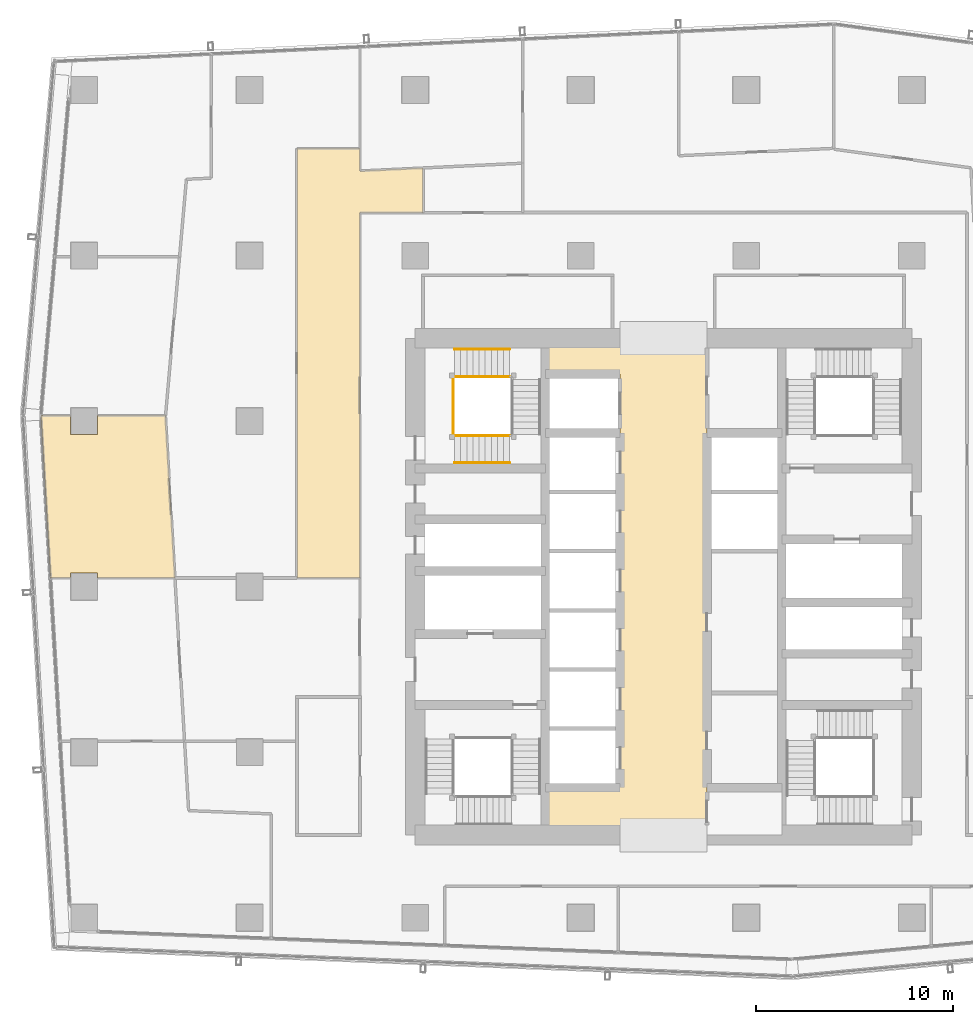
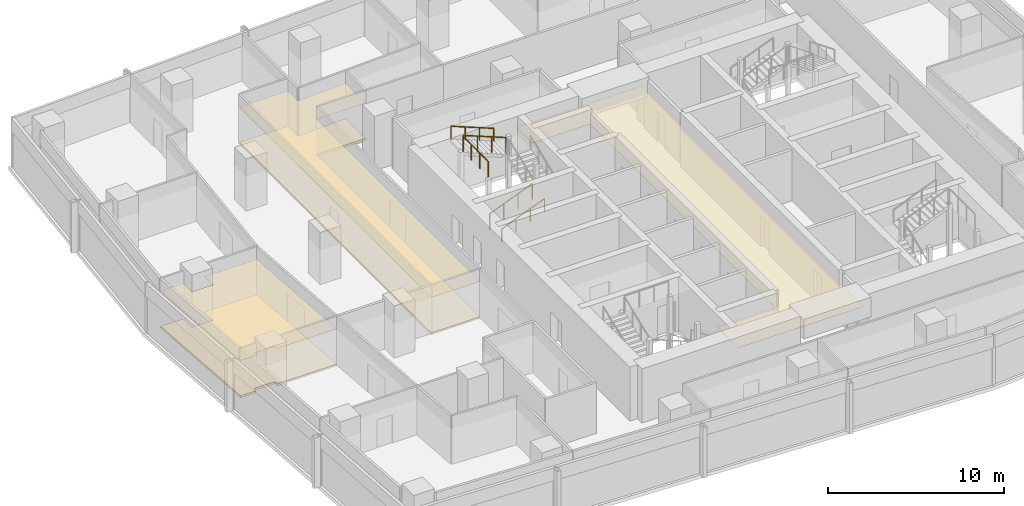
# One storey, part 33 of 39: 5 coverings, 5 railings.
"""IFC4 building model written with IfcOpenShell, lengths in metres."""

from ifc_helpers import new_model, si_unit, direction, frame, origin, origin_2d, place, context, subcontext, project, spatial, polyline, circle, outline, extrude, material, layer, layer_set, type_object, element, save


model = new_model("IFC4")

# Units and contexts
model_context = context("Model", 3, precision=1e-05, world=origin(), true_north=direction((0.0, 1.0)))
body_context = subcontext(model_context, "Body", "Model", "MODEL_VIEW")
ifc_project = project(units=[si_unit("LENGTHUNIT", "METRE"), si_unit("AREAUNIT", "SQUARE_METRE"), si_unit("VOLUMEUNIT", "CUBIC_METRE"), si_unit("PLANEANGLEUNIT", "RADIAN"), si_unit("MASSUNIT", "GRAM", prefix="KILO")], contexts=[model_context])

# Site, building, storey
site_placement = place(None, origin())
site = spatial("IfcSite", under=ifc_project, at=site_placement, CompositionType="ELEMENT")
building_placement = place(site_placement, origin())
building = spatial("IfcBuilding", under=site, at=building_placement, Name="Rekha Terrace Tower", CompositionType="ELEMENT")
storey_placement = place(building_placement, frame((0.0, 0.0, 217.699951171875)))
storey = spatial("IfcBuildingStorey", under=building, at=storey_placement, Name="L55", CompositionType="ELEMENT", Elevation=217.699951171875)

# Coverings
ifc_material_1 = material(Name="Mineral fibre tile in exposed grid", Category="finish")
ifc_layer_1 = layer(ifc_material_1, 0.02001953125)
ifc_layer_set_1 = layer_set([ifc_layer_1], Name="Mineral fibre tile in exposed grid")
covering_type_1 = type_object("IfcCoveringType", Name="CL1 600x1200 office grid ceiling", PredefinedType="CEILING", material=ifc_layer_set_1)
covering_1_placement = place(storey_placement, frame((0.0, 0.0, 2.580078125)))
element("IfcCovering", 1, at=covering_1_placement, inside=storey, type_object=covering_type_1, Name="Ceiling L55-10", PredefinedType="CEILING", context=body_context, shape_type="SweptSolid", body=[
    extrude(outline(polyline([(9.090087890625, 34.041015625), (13.010986328125, 34.041015625), (12.52587890625, 42.281005859375), (9.090087890625, 42.281005859375), (9.090087890625, 41.31005859375), (7.7099609375, 41.31005859375), (7.7099609375, 42.281005859375), (6.215087890625, 42.281005859375), (6.699951171875, 34.041015625), (7.7099609375, 34.041015625), (7.7099609375, 34.2900390625), (9.090087890625, 34.2900390625), (9.090087890625, 34.041015625)])), origin(), (0.0, 0.0, 1.0), 0.02001953125),
])
covering_2_placement = place(storey_placement, frame((0.0, 0.0, 2.580078125)))
element("IfcCovering", 2, at=covering_2_placement, inside=storey, type_object=covering_type_1, Name="Ceiling L55-13", PredefinedType="CEILING", context=body_context, shape_type="SweptSolid", body=[
    extrude(outline(polyline([(22.39990234375, 52.574951171875), (25.60009765625, 52.574951171875), (25.60009765625, 54.843994140625), (22.40087890625, 54.69091796875), (22.40087890625, 55.8291015625), (19.199951171875, 55.8291015625), (19.199951171875, 34.0400390625), (22.39990234375, 34.0400390625), (22.39990234375, 52.574951171875)])), origin(), (0.0, 0.0, 1.0), 0.02001953125),
])
ifc_material_2 = material(Name="Powder-coated aluminium pan", Category="aluminium")
ifc_layer_2 = layer(ifc_material_2, 0.030029296875)
ifc_layer_set_2 = layer_set([ifc_layer_2], Name="Powder-coated aluminium pan")
covering_type_2 = type_object("IfcCoveringType", Name="CL3 300x1200 metal pan ceiling", PredefinedType="CEILING", material=ifc_layer_set_2)
covering_3_placement = place(storey_placement, frame((0.0, 0.0, 2.570068359375)))
element("IfcCovering", 3, at=covering_3_placement, inside=storey, type_object=covering_type_2, Name="Ceiling L55-LOBBY", PredefinedType="CEILING", context=body_context, shape_type="SweptSolid", body=[
    extrude(outline(polyline([(35.60009765625, 44.39990234375), (35.60009765625, 23.39990234375), (31.800048828125, 23.39990234375), (31.800048828125, 21.0), (40.0, 21.0), (40.0, 46.199951171875), (31.800048828125, 46.199951171875), (31.800048828125, 44.39990234375), (35.60009765625, 44.39990234375)])), origin(), (0.0, 0.0, 1.0), 0.030029296875),
])

# Railings
ifc_material_3 = material(Name="Stainless steel balustrade", Category="steel")
railing_type_1 = type_object("IfcRailingType", Name="GR1 1100 stair guard", PredefinedType="GUARDRAIL", material=ifc_material_3)
railing_1_placement = place(storey_placement, frame((27.199951171875, 41.264892578125, 0.125)))
element("IfcRailing", 4, at=railing_1_placement, inside=storey, type_object=railing_type_1, Name="Guard ST4 L55 flight 1", PredefinedType="GUARDRAIL", context=body_context, shape_type="SweptSolid", body=[
    extrude(circle(Radius=0.02392578125, at=origin_2d()), frame((0.0, 0.0, 1.076171875), z_axis=(0.927443287984, 0.0, 0.373963831907), x_axis=(0.0, 1.0, 0.0)), (0.0, 0.0, 1.0), 3.00830078125),
    extrude(circle(Radius=0.02099609375, at=origin_2d()), origin(), (0.0, 0.0, 1.0), 1.052001953125),
    extrude(circle(Radius=0.02099609375, at=origin_2d()), frame((0.929931640625, 0.0, 0.375)), (0.0, 0.0, 1.0), 1.052001953125),
    extrude(circle(Radius=0.02099609375, at=origin_2d()), frame((1.860107421875, 0.0, 0.75)), (0.0, 0.0, 1.0), 1.052001953125),
    extrude(circle(Radius=0.02099609375, at=origin_2d()), frame((2.7900390625, 0.0, 1.125)), (0.0, 0.0, 1.0), 1.052001953125),
])
railing_2_placement = place(storey_placement, frame((29.989990234375, 44.260009765625, 2.625)))
element("IfcRailing", 5, at=railing_2_placement, inside=storey, type_object=railing_type_1, Name="Guard ST4 L55 flight 3", PredefinedType="GUARDRAIL", context=body_context, shape_type="SweptSolid", body=[
    extrude(circle(Radius=0.02392578125, at=origin_2d()), frame((0.0, 0.0, 1.076171875), z_axis=(-0.927443287984, 0.0, 0.373963831907), x_axis=(0.0, -1.0, 0.0)), (0.0, 0.0, 1.0), 3.00830078125),
    extrude(circle(Radius=0.02099609375, at=origin_2d()), origin(), (0.0, 0.0, 1.0), 1.052001953125),
    extrude(circle(Radius=0.02099609375, at=origin_2d()), frame((-0.929931640625, 0.0, 0.375)), (0.0, 0.0, 1.0), 1.052001953125),
    extrude(circle(Radius=0.02099609375, at=origin_2d()), frame((-1.860107421875, 0.0, 0.75)), (0.0, 0.0, 1.0), 1.052001953125),
    extrude(circle(Radius=0.02099609375, at=origin_2d()), frame((-2.7900390625, 0.0, 1.125)), (0.0, 0.0, 1.0), 1.052001953125),
])
railing_3_placement = place(storey_placement, frame((27.139892578125, 41.324951171875, 3.75)))
element("IfcRailing", 6, at=railing_3_placement, inside=storey, type_object=railing_type_1, Name="Guard ST4 L55 landing 4", PredefinedType="GUARDRAIL", context=body_context, shape_type="SweptSolid", body=[
    extrude(circle(Radius=0.02392578125, at=origin_2d()), frame((0.0, 0.0, 1.076171875), z_axis=(0.0, 1.0, 0.0), x_axis=(-1.0, 0.0, 0.0)), (0.0, 0.0, 1.0), 2.875),
    extrude(circle(Radius=0.02099609375, at=origin_2d()), origin(), (0.0, 0.0, 1.0), 1.052001953125),
    extrude(circle(Radius=0.02099609375, at=origin_2d()), frame((0.0, 0.958251953125, 0.0)), (0.0, 0.0, 1.0), 1.052001953125),
    extrude(circle(Radius=0.02099609375, at=origin_2d()), frame((0.0, 1.916748046875, 0.0)), (0.0, 0.0, 1.0), 1.052001953125),
    extrude(circle(Radius=0.02099609375, at=origin_2d()), frame((0.0, 2.875, 0.0)), (0.0, 0.0, 1.0), 1.052001953125),
])
ifc_material_4 = material(Name="Stainless steel tube", Category="steel")
railing_type_2 = type_object("IfcRailingType", Name="HR1 900 stair handrail", PredefinedType="HANDRAIL", material=ifc_material_4)
railing_4_placement = place(storey_placement, frame((27.199951171875, 39.885009765625, 0.125)))
element("IfcRailing", 7, at=railing_4_placement, inside=storey, type_object=railing_type_2, Name="Handrail ST4 L55 flight 1", PredefinedType="HANDRAIL", context=body_context, shape_type="SweptSolid", body=[
    extrude(circle(Radius=0.02392578125, at=origin_2d()), frame((0.0, 0.0, 0.8759765625), z_axis=(0.927443287984, 0.0, 0.373963831907), x_axis=(0.0, 1.0, 0.0)), (0.0, 0.0, 1.0), 3.00830078125),
    extrude(circle(Radius=0.02099609375, at=origin_2d()), origin(), (0.0, 0.0, 1.0), 0.851806640625),
    extrude(circle(Radius=0.02099609375, at=origin_2d()), frame((0.929931640625, 0.0, 0.375)), (0.0, 0.0, 1.0), 0.851806640625),
    extrude(circle(Radius=0.02099609375, at=origin_2d()), frame((1.860107421875, 0.0, 0.75)), (0.0, 0.0, 1.0), 0.851806640625),
    extrude(circle(Radius=0.02099609375, at=origin_2d()), frame((2.7900390625, 0.0, 1.125)), (0.0, 0.0, 1.0), 0.851806640625),
])
railing_5_placement = place(storey_placement, frame((29.989990234375, 45.639892578125, 2.625)))
element("IfcRailing", 8, at=railing_5_placement, inside=storey, type_object=railing_type_2, Name="Handrail ST4 L55 flight 3", PredefinedType="HANDRAIL", context=body_context, shape_type="SweptSolid", body=[
    extrude(circle(Radius=0.02392578125, at=origin_2d()), frame((0.0, 0.0, 0.8759765625), z_axis=(-0.927443287984, 0.0, 0.373963831907), x_axis=(0.0, -1.0, 0.0)), (0.0, 0.0, 1.0), 3.00830078125),
    extrude(circle(Radius=0.02099609375, at=origin_2d()), origin(), (0.0, 0.0, 1.0), 0.851806640625),
    extrude(circle(Radius=0.02099609375, at=origin_2d()), frame((-0.929931640625, 0.0, 0.375)), (0.0, 0.0, 1.0), 0.851806640625),
    extrude(circle(Radius=0.02099609375, at=origin_2d()), frame((-1.860107421875, 0.0, 0.75)), (0.0, 0.0, 1.0), 0.851806640625),
    extrude(circle(Radius=0.02099609375, at=origin_2d()), frame((-2.7900390625, 0.0, 1.125)), (0.0, 0.0, 1.0), 0.851806640625),
])

# Coverings
ifc_material_5 = material(Name="Calcium sulphate panels on steel pedestals", Category="steel")
ifc_layer_3 = layer(ifc_material_5, 0.14990234375)
ifc_layer_set_3 = layer_set([ifc_layer_3], Name="Calcium sulphate panels on steel pedestals")
covering_type_3 = type_object("IfcCoveringType", Name="RF1 150 raised access floor", PredefinedType="FLOORING", material=ifc_layer_set_3)
covering_4_placement = place(storey_placement, origin())
element("IfcCovering", 9, at=covering_4_placement, inside=storey, type_object=covering_type_3, Name="Raised floor L55-10", PredefinedType="FLOORING", context=body_context, shape_type="SweptSolid", body=[
    extrude(outline(polyline([(9.090087890625, 34.041015625), (13.010986328125, 34.041015625), (12.52587890625, 42.281005859375), (9.090087890625, 42.281005859375), (9.090087890625, 41.31005859375), (7.7099609375, 41.31005859375), (7.7099609375, 42.281005859375), (6.215087890625, 42.281005859375), (6.699951171875, 34.041015625), (7.7099609375, 34.041015625), (7.7099609375, 34.2900390625), (9.090087890625, 34.2900390625), (9.090087890625, 34.041015625)])), origin(), (0.0, 0.0, 1.0), 0.150146484375),
])
covering_5_placement = place(storey_placement, origin())
element("IfcCovering", 10, at=covering_5_placement, inside=storey, type_object=covering_type_3, Name="Raised floor L55-13", PredefinedType="FLOORING", context=body_context, shape_type="SweptSolid", body=[
    extrude(outline(polyline([(22.39990234375, 52.574951171875), (25.60009765625, 52.574951171875), (25.60009765625, 54.843994140625), (22.40087890625, 54.69091796875), (22.40087890625, 55.8291015625), (19.199951171875, 55.8291015625), (19.199951171875, 34.0400390625), (22.39990234375, 34.0400390625), (22.39990234375, 52.574951171875)])), origin(), (0.0, 0.0, 1.0), 0.150146484375),
])

save(model, "model.ifc")
